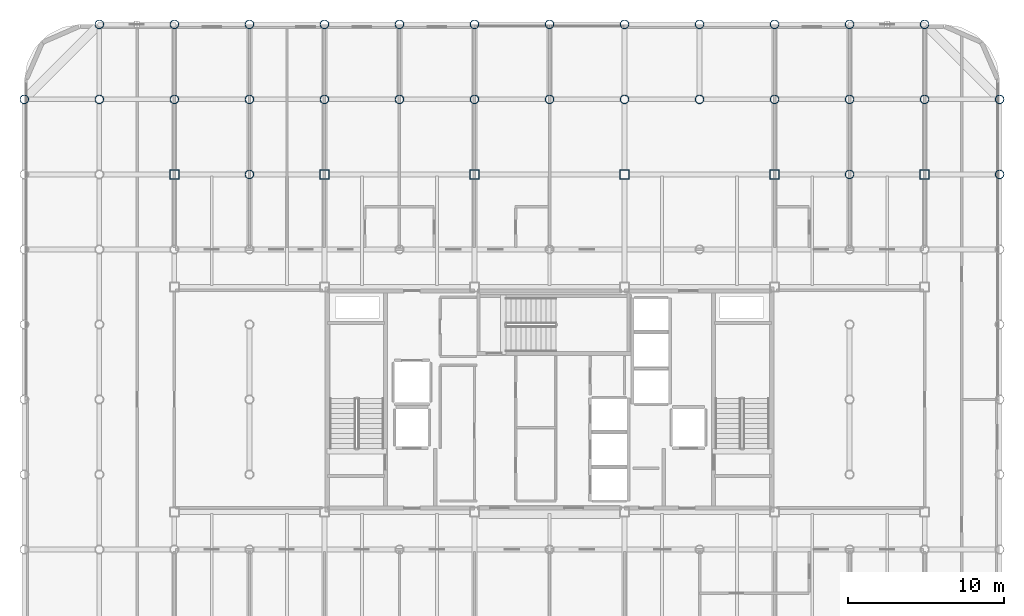
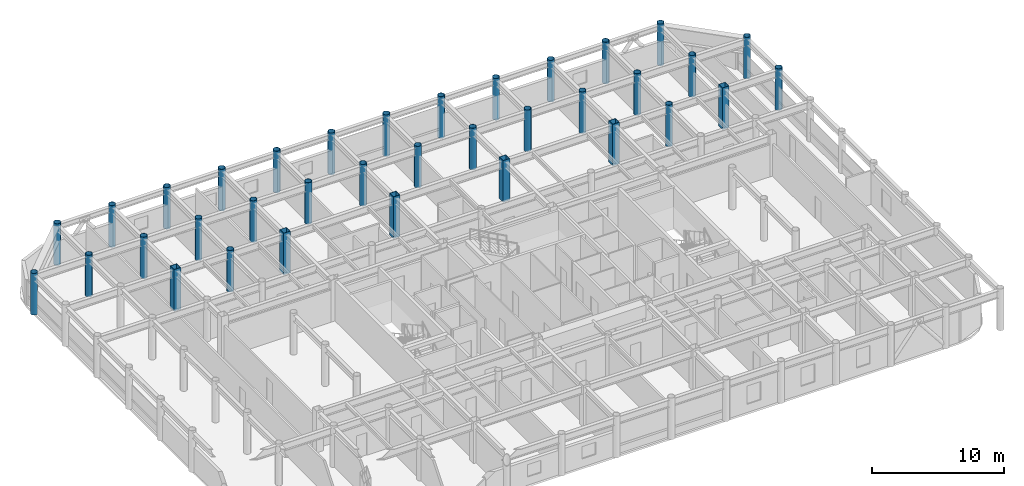
# One storey, part 2 of 22: 35 columns.
"""IFC4 building model written with IfcOpenShell, lengths in metres."""

from ifc_helpers import new_model, si_unit, direction, frame, origin, origin_2d, place, context, subcontext, project, spatial, hollow_rectangle, hollow_circle, extrude, material, material_profile, profile_set, type_object, element, save


model = new_model("IFC4")

# Units and contexts
model_context = context("Model", 3, precision=1e-05, world=origin(), true_north=direction((0.0, 1.0)))
body_context = subcontext(model_context, "Body", "Model", "MODEL_VIEW")
ifc_project = project(units=[si_unit("LENGTHUNIT", "METRE"), si_unit("AREAUNIT", "SQUARE_METRE"), si_unit("VOLUMEUNIT", "CUBIC_METRE"), si_unit("PLANEANGLEUNIT", "RADIAN"), si_unit("MASSUNIT", "GRAM", prefix="KILO")], contexts=[model_context])

# Site, building, storey
site_placement = place(None, origin())
site = spatial("IfcSite", under=ifc_project, at=site_placement, CompositionType="ELEMENT")
building_placement = place(site_placement, origin())
building = spatial("IfcBuilding", under=site, at=building_placement, Name="Kallvorn Hotel Tower", CompositionType="ELEMENT")
storey_placement = place(building_placement, frame((0.0, 0.0, 253.10009765625)))
storey = spatial("IfcBuildingStorey", under=building, at=storey_placement, Name="L63", CompositionType="ELEMENT", Elevation=253.10009765625)

# Columns
ifc_material_1 = material(Name="Structural steel S355J2H", Category="steel")
ifc_material_profile_1 = material_profile(ifc_material_1, hollow_circle(Radius=0.279541015625, WallThickness=0.02490234375, at=origin_2d()), Name="CHS 559x25")
ifc_profile_set_1 = profile_set([ifc_material_profile_1], Name="Structural steel S355J2H")
column_type_1 = type_object("IfcColumnType", Name="COL_CHS_559", PredefinedType="COLUMN", material=ifc_profile_set_1)
for number, where, z_axis, x_axis, name in (
    (1, (-33.60009765625, 19.199951171875, 0.0), (0.0, 0.0, 1.0), (1.0, 0.0, 0.0), "L63 Exoskeleton Column EC08"),
    (2, (-28.800048828125, 19.199951171875, 0.0), (0.0, 0.0, 1.0), (1.0, 0.0, 0.0), "L63 Exoskeleton Column EC17"),
    (3, (-28.800048828125, 24.0, 0.0), (0.0, 0.0, 1.0), (1.0, 0.0, 0.0), "L63 Exoskeleton Column EC18"),
    (4, (-24.0, 19.199951171875, 0.0), (0.0, 0.0, 1.0), (1.0, 0.0, 0.0), "L63 Exoskeleton Column EC22"),
    (5, (-24.0, 24.0, 0.0), (0.0, 0.0, 1.0), (1.0, 0.0, 0.0), "L63 Exoskeleton Column EC23"),
    (6, (-19.199951171875, 14.39990234375, 0.0), (0.0, 0.0, 1.0), (1.0, 0.0, 0.0), "L63 Exoskeleton Column EC31"),
    (7, (-19.199951171875, 19.199951171875, 0.0), (0.0, 0.0, 1.0), (1.0, 0.0, 0.0), "L63 Exoskeleton Column EC32"),
    (8, (-19.199951171875, 24.0, 0.0), (0.0, 0.0, 1.0), (1.0, 0.0, 0.0), "L63 Exoskeleton Column EC33"),
    (9, (-14.39990234375, 19.199951171875, 0.0), (0.0, 0.0, 1.0), (1.0, 0.0, 0.0), "L63 Exoskeleton Column EC35"),
    (10, (-14.39990234375, 24.0, 0.0), (0.0, 0.0, 1.0), (1.0, 0.0, 0.0), "L63 Exoskeleton Column EC36"),
    (11, (-9.60009765625, 19.199951171875, 0.0), (0.0, 0.0, 1.0), (1.0, 0.0, 0.0), "L63 Exoskeleton Column EC40"),
    (12, (-9.60009765625, 24.0, 0.0), (0.0, 0.0, 1.0), (1.0, 0.0, 0.0), "L63 Exoskeleton Column EC41"),
    (13, (-4.800048828125, 19.199951171875, 0.0), (0.0, 0.0, 1.0), (1.0, 0.0, 0.0), "L63 Exoskeleton Column EC43"),
    (14, (-4.800048828125, 24.0, 0.0), (0.0, 0.0, 1.0), (1.0, 0.0, 0.0), "L63 Exoskeleton Column EC44"),
    (15, (0.0, 19.199951171875, 0.0), (0.0, 0.0, 1.0), (1.0, 0.0, 0.0), "L63 Exoskeleton Column EC48"),
    (16, (0.0, 24.0, 0.0), (0.0, 0.0, 1.0), (1.0, 0.0, 0.0), "L63 Exoskeleton Column EC49"),
    (17, (4.800048828125, 19.199951171875, 0.0), (0.0, 0.0, 1.0), (1.0, 0.0, 0.0), "L63 Exoskeleton Column EC51"),
    (18, (4.800048828125, 24.0, 0.0), (0.0, 0.0, 1.0), (1.0, 0.0, 0.0), "L63 Exoskeleton Column EC52"),
    (19, (9.60009765625, 19.199951171875, 0.0), (0.0, 0.0, 1.0), (1.0, 0.0, 0.0), "L63 Exoskeleton Column EC56"),
    (20, (9.60009765625, 24.0, 0.0), (0.0, 0.0, 1.0), (1.0, 0.0, 0.0), "L63 Exoskeleton Column EC57"),
    (21, (14.39990234375, 19.199951171875, 0.0), (0.0, 0.0, 1.0), (1.0, 0.0, 0.0), "L63 Exoskeleton Column EC59"),
    (22, (14.39990234375, 24.0, 0.0), (0.0, 0.0, 1.0), (1.0, 0.0, 0.0), "L63 Exoskeleton Column EC60"),
    (23, (19.199951171875, 14.39990234375, 0.0), (0.0, 0.0, 1.0), (1.0, 0.0, 0.0), "L63 Exoskeleton Column EC68"),
    (24, (19.199951171875, 19.199951171875, 0.0), (0.0, 0.0, 1.0), (1.0, 0.0, 0.0), "L63 Exoskeleton Column EC69"),
    (25, (19.199951171875, 24.0, 0.0), (0.0, 0.0, 1.0), (1.0, 0.0, 0.0), "L63 Exoskeleton Column EC70"),
    (26, (24.0, 19.199951171875, 0.0), (0.0, 0.0, 1.0), (1.0, 0.0, 0.0), "L63 Exoskeleton Column EC74"),
    (27, (24.0, 24.0, 0.0), (0.0, 0.0, 1.0), (1.0, 0.0, 0.0), "L63 Exoskeleton Column EC75"),
    (28, (28.800048828125, 14.39990234375, 0.0), (0.0, 0.0, 1.0), (1.0, 0.0, 0.0), "L63 Exoskeleton Column EC83"),
    (29, (28.800048828125, 19.199951171875, 0.0), (0.0, 0.0, 1.0), (1.0, 0.0, 0.0), "L63 Exoskeleton Column EC84"),
):
    element("IfcColumn", number, at=place(storey_placement, frame(where, z_axis=z_axis, x_axis=x_axis)), inside=storey, type_object=column_type_1, Name=name, PredefinedType="COLUMN", context=body_context, shape_type="SweptSolid", body=[
        extrude(hollow_circle(Radius=0.279541015625, WallThickness=0.02490234375, at=origin_2d()), origin(), (0.0, 0.0, 1.0), 3.849853515625),
    ])
ifc_material_2 = material(Name="Structural steel S355J2H", Category="steel")
ifc_material_profile_2 = material_profile(ifc_material_2, hollow_rectangle(XDim=0.60009765625, YDim=0.60009765625, WallThickness=0.028076171875, at=origin_2d()), Name="RHS 600x600x28")
ifc_profile_set_2 = profile_set([ifc_material_profile_2], Name="Structural steel S355J2H")
column_type_2 = type_object("IfcColumnType", Name="COL_RHS_600", PredefinedType="COLUMN", material=ifc_profile_set_2)
for number, where, z_axis, x_axis, name in (
    (30, (-24.0, 14.39990234375, 0.0), (0.0, 0.0, 1.0), (1.0, 0.0, 0.0), "L63 Inner Column IC04"),
    (31, (-14.39990234375, 14.39990234375, 0.0), (0.0, 0.0, 1.0), (1.0, 0.0, 0.0), "L63 Inner Column IC08"),
    (32, (-4.800048828125, 14.39990234375, 0.0), (0.0, 0.0, 1.0), (1.0, 0.0, 0.0), "L63 Inner Column IC12"),
    (33, (4.800048828125, 14.39990234375, 0.0), (0.0, 0.0, 1.0), (1.0, 0.0, 0.0), "L63 Inner Column IC16"),
    (34, (14.39990234375, 14.39990234375, 0.0), (0.0, 0.0, 1.0), (1.0, 0.0, 0.0), "L63 Inner Column IC20"),
    (35, (24.0, 14.39990234375, 0.0), (0.0, 0.0, 1.0), (1.0, 0.0, 0.0), "L63 Inner Column IC24"),
):
    element("IfcColumn", number, at=place(storey_placement, frame(where, z_axis=z_axis, x_axis=x_axis)), inside=storey, type_object=column_type_2, Name=name, PredefinedType="COLUMN", context=body_context, shape_type="SweptSolid", body=[
        extrude(hollow_rectangle(XDim=0.60009765625, YDim=0.60009765625, WallThickness=0.028076171875, at=origin_2d()), origin(), (0.0, 0.0, 1.0), 3.849853515625),
    ])

save(model, "model.ifc")
